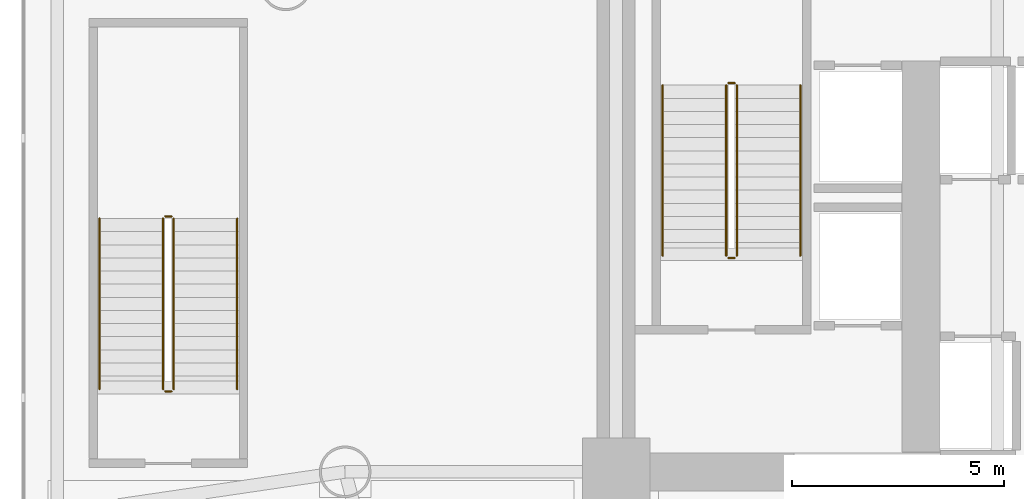
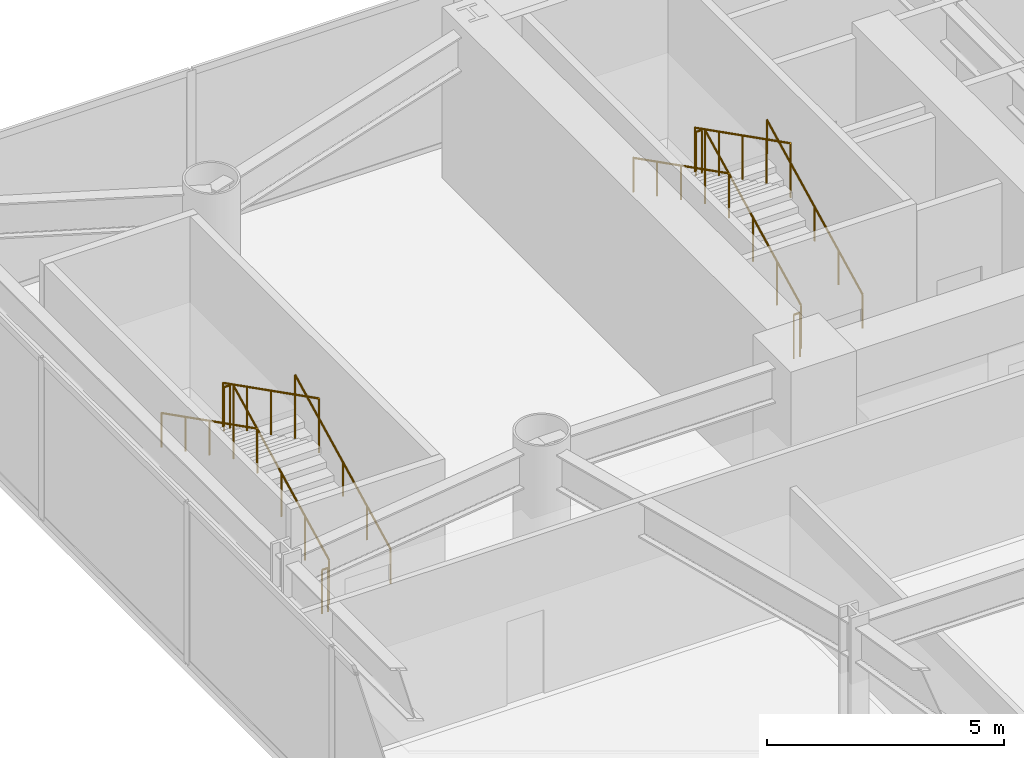
# One storey, part 21 of 24: 12 railings.
"""IFC4 building model written with IfcOpenShell, lengths in metres."""

from ifc_helpers import new_model, si_unit, direction, frame, origin, origin_2d, place, context, subcontext, project, spatial, circle, extrude, material, type_object, element, save


model = new_model("IFC4")

# Units and contexts
model_context = context("Model", 3, precision=1e-05, world=origin(), true_north=direction((0.0, 1.0)))
body_context = subcontext(model_context, "Body", "Model", "MODEL_VIEW")
ifc_project = project(units=[si_unit("LENGTHUNIT", "METRE"), si_unit("AREAUNIT", "SQUARE_METRE"), si_unit("VOLUMEUNIT", "CUBIC_METRE"), si_unit("PLANEANGLEUNIT", "RADIAN"), si_unit("MASSUNIT", "GRAM", prefix="KILO")], contexts=[model_context])

# Site, building, storey
site_placement = place(None, origin())
site = spatial("IfcSite", under=ifc_project, at=site_placement, CompositionType="ELEMENT")
building_placement = place(site_placement, origin())
building = spatial("IfcBuilding", under=site, at=building_placement, Name="Vaeldorn Concourse Tower", CompositionType="ELEMENT")
storey_placement = place(building_placement, frame((0.0, 0.0, 5.60009765625)))
storey = spatial("IfcBuildingStorey", under=building, at=storey_placement, Name="L01", CompositionType="ELEMENT", Elevation=5.60009765625)

# Railings
ifc_material = material(Name="Anodised Bronze Aluminium", Category="aluminium")
railing_type_1 = type_object("IfcRailingType", Name="RL-STAIR-GUARD", PredefinedType="GUARDRAIL", material=ifc_material)
railing_1_placement = place(storey_placement, frame((16.85009765625, 41.60009765625, 0.156982421875)))
element("IfcRailing", 1, at=railing_1_placement, inside=storey, type_object=railing_type_1, Name="L01 ST-1 stair guard 1", PredefinedType="GUARDRAIL", context=body_context, shape_type="SweptSolid", body=[
    extrude(circle(Radius=0.02392578125, at=origin_2d()), frame((0.0, 0.0, 1.1259765625), z_axis=(0.0, 0.891927692675, 0.452178052363), x_axis=(-1.0, 0.0, 0.0)), (0.0, 0.0, 1.0), 4.51806640625),
    extrude(circle(Radius=0.02099609375, at=origin_2d()), origin(), (0.0, 0.0, 1.0), 1.101806640625),
    extrude(circle(Radius=0.02099609375, at=origin_2d()), frame((0.0, 1.00732421875, 0.5107421875)), (0.0, 0.0, 1.0), 1.101806640625),
    extrude(circle(Radius=0.02099609375, at=origin_2d()), frame((0.0, 2.014892578125, 1.021484375)), (0.0, 0.0, 1.0), 1.101806640625),
    extrude(circle(Radius=0.02099609375, at=origin_2d()), frame((0.0, 3.0224609375, 1.5322265625)), (0.0, 0.0, 1.0), 1.101806640625),
    extrude(circle(Radius=0.02099609375, at=origin_2d()), frame((0.0, 4.02978515625, 2.04296875)), (0.0, 0.0, 1.0), 1.101806640625),
])
railing_2_placement = place(storey_placement, frame((16.800048828125, 45.679931640625, 2.199951171875)))
element("IfcRailing", 2, at=railing_2_placement, inside=storey, type_object=railing_type_1, Name="L01 ST-1 stair guard 2", PredefinedType="GUARDRAIL", context=body_context, shape_type="SweptSolid", body=[
    extrude(circle(Radius=0.02392578125, at=origin_2d()), frame((0.0, 0.0, 1.1259765625), z_axis=(-1.0, 0.0, 0.0), x_axis=(0.0, -1.0, 0.0)), (0.0, 0.0, 1.0), 0.150146484375),
    extrude(circle(Radius=0.02099609375, at=origin_2d()), origin(), (0.0, 0.0, 1.0), 1.101806640625),
    extrude(circle(Radius=0.02099609375, at=origin_2d()), frame((-0.150146484375, 0.0, 0.0)), (0.0, 0.0, 1.0), 1.101806640625),
])
railing_3_placement = place(storey_placement, frame((16.60009765625, 45.6298828125, 2.35693359375)))
element("IfcRailing", 3, at=railing_3_placement, inside=storey, type_object=railing_type_1, Name="L01 ST-1 stair guard 3", PredefinedType="GUARDRAIL", context=body_context, shape_type="SweptSolid", body=[
    extrude(circle(Radius=0.02392578125, at=origin_2d()), frame((0.0, 0.0, 1.1259765625), z_axis=(0.0, -0.891927692675, 0.452178052363), x_axis=(1.0, 0.0, 0.0)), (0.0, 0.0, 1.0), 4.51806640625),
    extrude(circle(Radius=0.02099609375, at=origin_2d()), origin(), (0.0, 0.0, 1.0), 1.101806640625),
    extrude(circle(Radius=0.02099609375, at=origin_2d()), frame((0.0, -1.00732421875, 0.5107421875)), (0.0, 0.0, 1.0), 1.101806640625),
    extrude(circle(Radius=0.02099609375, at=origin_2d()), frame((0.0, -2.014892578125, 1.021484375)), (0.0, 0.0, 1.0), 1.101806640625),
    extrude(circle(Radius=0.02099609375, at=origin_2d()), frame((0.0, -3.0224609375, 1.5322265625)), (0.0, 0.0, 1.0), 1.101806640625),
    extrude(circle(Radius=0.02099609375, at=origin_2d()), frame((0.0, -4.02978515625, 2.04296875)), (0.0, 0.0, 1.0), 1.101806640625),
])
railing_4_placement = place(storey_placement, frame((16.800048828125, 41.550048828125, 0.0)))
element("IfcRailing", 4, at=railing_4_placement, inside=storey, type_object=railing_type_1, Name="L01 ST-1 stair guard 4", PredefinedType="GUARDRAIL", context=body_context, shape_type="SweptSolid", body=[
    extrude(circle(Radius=0.02392578125, at=origin_2d()), frame((0.0, 0.0, 1.1259765625), z_axis=(-1.0, 0.0, 0.0), x_axis=(0.0, -1.0, 0.0)), (0.0, 0.0, 1.0), 0.150146484375),
    extrude(circle(Radius=0.02099609375, at=origin_2d()), origin(), (0.0, 0.0, 1.0), 1.101806640625),
    extrude(circle(Radius=0.02099609375, at=origin_2d()), frame((-0.150146484375, 0.0, 0.0)), (0.0, 0.0, 1.0), 1.101806640625),
])
railing_5_placement = place(storey_placement, frame((3.550048828125, 38.449951171875, 0.156982421875)))
element("IfcRailing", 5, at=railing_5_placement, inside=storey, type_object=railing_type_1, Name="L01 ST-3 stair guard 1", PredefinedType="GUARDRAIL", context=body_context, shape_type="SweptSolid", body=[
    extrude(circle(Radius=0.02392578125, at=origin_2d()), frame((0.0, 0.0, 1.1259765625), z_axis=(0.0, 0.891938740464, 0.452156259781), x_axis=(-1.0, 0.0, 0.0)), (0.0, 0.0, 1.0), 4.518310546875),
    extrude(circle(Radius=0.02099609375, at=origin_2d()), origin(), (0.0, 0.0, 1.0), 1.101806640625),
    extrude(circle(Radius=0.02099609375, at=origin_2d()), frame((0.0, 1.007568359375, 0.5107421875)), (0.0, 0.0, 1.0), 1.101806640625),
    extrude(circle(Radius=0.02099609375, at=origin_2d()), frame((0.0, 2.01513671875, 1.021484375)), (0.0, 0.0, 1.0), 1.101806640625),
    extrude(circle(Radius=0.02099609375, at=origin_2d()), frame((0.0, 3.0224609375, 1.5322265625)), (0.0, 0.0, 1.0), 1.101806640625),
    extrude(circle(Radius=0.02099609375, at=origin_2d()), frame((0.0, 4.030029296875, 2.04296875)), (0.0, 0.0, 1.0), 1.101806640625),
])
railing_6_placement = place(storey_placement, frame((3.5, 42.530029296875, 2.199951171875)))
element("IfcRailing", 6, at=railing_6_placement, inside=storey, type_object=railing_type_1, Name="L01 ST-3 stair guard 2", PredefinedType="GUARDRAIL", context=body_context, shape_type="SweptSolid", body=[
    extrude(circle(Radius=0.02392578125, at=origin_2d()), frame((0.0, 0.0, 1.1259765625), z_axis=(-1.0, 0.0, 0.0), x_axis=(0.0, -1.0, 0.0)), (0.0, 0.0, 1.0), 0.14990234375),
    extrude(circle(Radius=0.02099609375, at=origin_2d()), origin(), (0.0, 0.0, 1.0), 1.101806640625),
    extrude(circle(Radius=0.02099609375, at=origin_2d()), frame((-0.14990234375, 0.0, 0.0)), (0.0, 0.0, 1.0), 1.101806640625),
])
railing_7_placement = place(storey_placement, frame((3.300048828125, 42.47998046875, 2.35693359375)))
element("IfcRailing", 7, at=railing_7_placement, inside=storey, type_object=railing_type_1, Name="L01 ST-3 stair guard 3", PredefinedType="GUARDRAIL", context=body_context, shape_type="SweptSolid", body=[
    extrude(circle(Radius=0.02392578125, at=origin_2d()), frame((0.0, 0.0, 1.1259765625), z_axis=(0.0, -0.891938740464, 0.452156259781), x_axis=(1.0, 0.0, 0.0)), (0.0, 0.0, 1.0), 4.518310546875),
    extrude(circle(Radius=0.02099609375, at=origin_2d()), origin(), (0.0, 0.0, 1.0), 1.101806640625),
    extrude(circle(Radius=0.02099609375, at=origin_2d()), frame((0.0, -1.007568359375, 0.5107421875)), (0.0, 0.0, 1.0), 1.101806640625),
    extrude(circle(Radius=0.02099609375, at=origin_2d()), frame((0.0, -2.01513671875, 1.021484375)), (0.0, 0.0, 1.0), 1.101806640625),
    extrude(circle(Radius=0.02099609375, at=origin_2d()), frame((0.0, -3.0224609375, 1.5322265625)), (0.0, 0.0, 1.0), 1.101806640625),
    extrude(circle(Radius=0.02099609375, at=origin_2d()), frame((0.0, -4.030029296875, 2.04296875)), (0.0, 0.0, 1.0), 1.101806640625),
])
railing_8_placement = place(storey_placement, frame((3.5, 38.39990234375, 0.0)))
element("IfcRailing", 8, at=railing_8_placement, inside=storey, type_object=railing_type_1, Name="L01 ST-3 stair guard 4", PredefinedType="GUARDRAIL", context=body_context, shape_type="SweptSolid", body=[
    extrude(circle(Radius=0.02392578125, at=origin_2d()), frame((0.0, 0.0, 1.1259765625), z_axis=(-1.0, 0.0, 0.0), x_axis=(0.0, -1.0, 0.0)), (0.0, 0.0, 1.0), 0.14990234375),
    extrude(circle(Radius=0.02099609375, at=origin_2d()), origin(), (0.0, 0.0, 1.0), 1.101806640625),
    extrude(circle(Radius=0.02099609375, at=origin_2d()), frame((-0.14990234375, 0.0, 0.0)), (0.0, 0.0, 1.0), 1.101806640625),
])
railing_type_2 = type_object("IfcRailingType", Name="RL-STAIR-HANDRAIL", PredefinedType="HANDRAIL", material=ifc_material)
railing_9_placement = place(storey_placement, frame((18.35009765625, 41.60009765625, 0.156982421875)))
element("IfcRailing", 9, at=railing_9_placement, inside=storey, type_object=railing_type_2, Name="L01 ST-1 stair handrail 1", PredefinedType="HANDRAIL", context=body_context, shape_type="SweptSolid", body=[
    extrude(circle(Radius=0.02392578125, at=origin_2d()), frame((0.0, 0.0, 0.8759765625), z_axis=(0.0, 0.891927692675, 0.452178052363), x_axis=(-1.0, 0.0, 0.0)), (0.0, 0.0, 1.0), 4.51806640625),
    extrude(circle(Radius=0.02099609375, at=origin_2d()), origin(), (0.0, 0.0, 1.0), 0.851806640625),
    extrude(circle(Radius=0.02099609375, at=origin_2d()), frame((0.0, 1.00732421875, 0.5107421875)), (0.0, 0.0, 1.0), 0.851806640625),
    extrude(circle(Radius=0.02099609375, at=origin_2d()), frame((0.0, 2.014892578125, 1.021484375)), (0.0, 0.0, 1.0), 0.851806640625),
    extrude(circle(Radius=0.02099609375, at=origin_2d()), frame((0.0, 3.0224609375, 1.5322265625)), (0.0, 0.0, 1.0), 0.851806640625),
    extrude(circle(Radius=0.02099609375, at=origin_2d()), frame((0.0, 4.02978515625, 2.04296875)), (0.0, 0.0, 1.0), 0.851806640625),
])
railing_10_placement = place(storey_placement, frame((15.10009765625, 45.6298828125, 2.35693359375)))
element("IfcRailing", 10, at=railing_10_placement, inside=storey, type_object=railing_type_2, Name="L01 ST-1 stair handrail 2", PredefinedType="HANDRAIL", context=body_context, shape_type="SweptSolid", body=[
    extrude(circle(Radius=0.02392578125, at=origin_2d()), frame((0.0, 0.0, 0.8759765625), z_axis=(0.0, -0.891927692675, 0.452178052363), x_axis=(1.0, 0.0, 0.0)), (0.0, 0.0, 1.0), 4.51806640625),
    extrude(circle(Radius=0.02099609375, at=origin_2d()), origin(), (0.0, 0.0, 1.0), 0.851806640625),
    extrude(circle(Radius=0.02099609375, at=origin_2d()), frame((0.0, -1.00732421875, 0.5107421875)), (0.0, 0.0, 1.0), 0.851806640625),
    extrude(circle(Radius=0.02099609375, at=origin_2d()), frame((0.0, -2.014892578125, 1.021484375)), (0.0, 0.0, 1.0), 0.851806640625),
    extrude(circle(Radius=0.02099609375, at=origin_2d()), frame((0.0, -3.0224609375, 1.5322265625)), (0.0, 0.0, 1.0), 0.851806640625),
    extrude(circle(Radius=0.02099609375, at=origin_2d()), frame((0.0, -4.02978515625, 2.04296875)), (0.0, 0.0, 1.0), 0.851806640625),
])
railing_11_placement = place(storey_placement, frame((5.050048828125, 38.449951171875, 0.156982421875)))
element("IfcRailing", 11, at=railing_11_placement, inside=storey, type_object=railing_type_2, Name="L01 ST-3 stair handrail 1", PredefinedType="HANDRAIL", context=body_context, shape_type="SweptSolid", body=[
    extrude(circle(Radius=0.02392578125, at=origin_2d()), frame((0.0, 0.0, 0.8759765625), z_axis=(0.0, 0.891938740464, 0.452156259781), x_axis=(-1.0, 0.0, 0.0)), (0.0, 0.0, 1.0), 4.518310546875),
    extrude(circle(Radius=0.02099609375, at=origin_2d()), origin(), (0.0, 0.0, 1.0), 0.851806640625),
    extrude(circle(Radius=0.02099609375, at=origin_2d()), frame((0.0, 1.007568359375, 0.5107421875)), (0.0, 0.0, 1.0), 0.851806640625),
    extrude(circle(Radius=0.02099609375, at=origin_2d()), frame((0.0, 2.01513671875, 1.021484375)), (0.0, 0.0, 1.0), 0.851806640625),
    extrude(circle(Radius=0.02099609375, at=origin_2d()), frame((0.0, 3.0224609375, 1.5322265625)), (0.0, 0.0, 1.0), 0.851806640625),
    extrude(circle(Radius=0.02099609375, at=origin_2d()), frame((0.0, 4.030029296875, 2.04296875)), (0.0, 0.0, 1.0), 0.851806640625),
])
railing_12_placement = place(storey_placement, frame((1.800048828125, 42.47998046875, 2.35693359375)))
element("IfcRailing", 12, at=railing_12_placement, inside=storey, type_object=railing_type_2, Name="L01 ST-3 stair handrail 2", PredefinedType="HANDRAIL", context=body_context, shape_type="SweptSolid", body=[
    extrude(circle(Radius=0.02392578125, at=origin_2d()), frame((0.0, 0.0, 0.8759765625), z_axis=(0.0, -0.891938740464, 0.452156259781), x_axis=(1.0, 0.0, 0.0)), (0.0, 0.0, 1.0), 4.518310546875),
    extrude(circle(Radius=0.02099609375, at=origin_2d()), origin(), (0.0, 0.0, 1.0), 0.851806640625),
    extrude(circle(Radius=0.02099609375, at=origin_2d()), frame((0.0, -1.007568359375, 0.5107421875)), (0.0, 0.0, 1.0), 0.851806640625),
    extrude(circle(Radius=0.02099609375, at=origin_2d()), frame((0.0, -2.01513671875, 1.021484375)), (0.0, 0.0, 1.0), 0.851806640625),
    extrude(circle(Radius=0.02099609375, at=origin_2d()), frame((0.0, -3.0224609375, 1.5322265625)), (0.0, 0.0, 1.0), 0.851806640625),
    extrude(circle(Radius=0.02099609375, at=origin_2d()), frame((0.0, -4.030029296875, 2.04296875)), (0.0, 0.0, 1.0), 0.851806640625),
])

save(model, "model.ifc")
